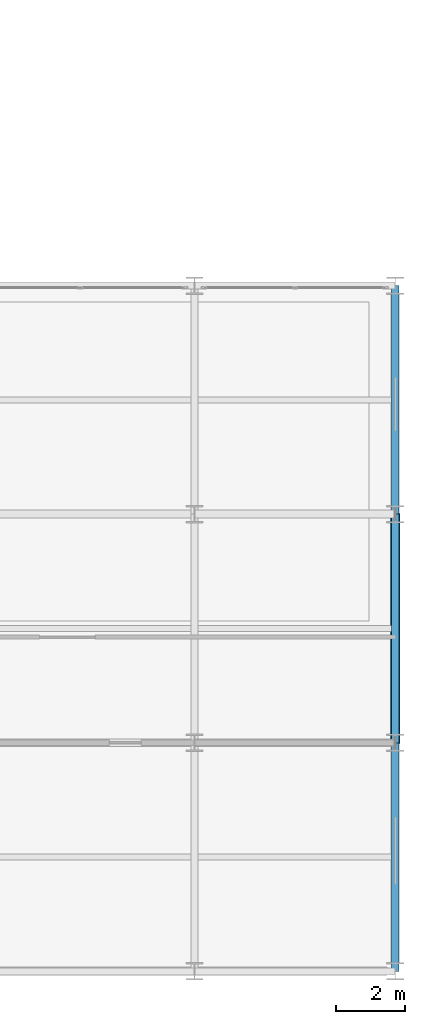
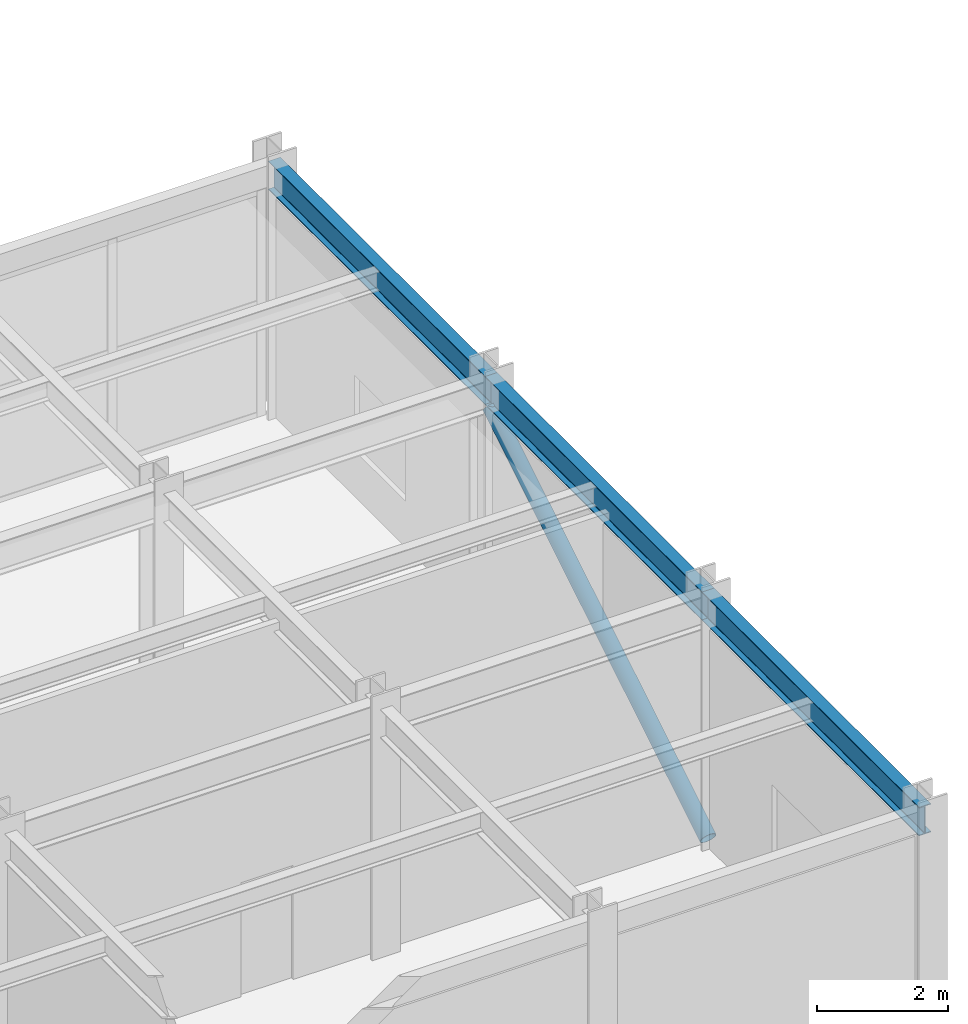
# One storey, part 97 of 144: 3 beams, 1 member.
"""IFC4 building model written with IfcOpenShell, lengths in metres."""

import ifcopenshell
import ifcopenshell.guid

model = None  # the IFC model being written
_history = None  # IfcOwnerHistory: only IFC2X3 demands one
_inside = {}  # id of a spatial element -> (the spatial element, [elements in it])
_under = {}  # id of a project, library or spatial element -> (it, [spatial elements below it])
_declared = {}  # id of a project -> (the project, [libraries it declares])
_typed = {}  # id of a type object -> (the type object, [elements of that type])
_made_of = {}  # id of a material, layer set ... -> (it, [elements and type objects made of it])


def new_model(schema):
    """Start an empty IFC model of exactly this schema.

    Asked for "IFC4X3", IfcOpenShell would pick the latest addendum, in which some entities
    have other attributes; the version numbers below select the first issue.
    IFC2X3 requires an IfcOwnerHistory on every rooted entity: one is made here for all.
    """
    global model, _history
    if schema == "IFC4X3":
        model = ifcopenshell.file(schema_version=(4, 3, 0, 0))
    else:
        model = ifcopenshell.file(schema=schema)
    _inside.clear()
    _under.clear()
    _declared.clear()
    _typed.clear()
    _made_of.clear()
    _history = None
    if model.schema == "IFC2X3":
        org = make("IfcOrganization", Name="unknown")
        user = make(
            "IfcPersonAndOrganization",
            ThePerson=make("IfcPerson", FamilyName="unknown"),
            TheOrganization=org,
        )
        app = make(
            "IfcApplication",
            ApplicationDeveloper=org,
            Version="unknown",
            ApplicationFullName="unknown",
            ApplicationIdentifier="unknown",
        )
        _history = make(
            "IfcOwnerHistory",
            OwningUser=user,
            OwningApplication=app,
            ChangeAction="ADDED",
            CreationDate=0,
        )
    return model


def make(cls, **values):
    """One entity of the class cls with the attributes given. An attribute that is None is left unset."""
    return model.create_entity(
        cls, **{name: value for name, value in values.items() if value is not None}
    )


def rooted(cls, **values):
    """An entity with a GlobalId (a new one), such as an element, a storey or a relation."""
    return make(cls, GlobalId=ifcopenshell.guid.new(), OwnerHistory=_history, **values)


def si_unit(unit_type, name, prefix=None):
    """IfcSIUnit, for example si_unit("LENGTHUNIT", "METRE", prefix="MILLI")."""
    return make("IfcSIUnit", UnitType=unit_type, Prefix=prefix, Name=name)


def assignment(units):
    """IfcUnitAssignment: the units of a project."""
    return None if units is None else make("IfcUnitAssignment", Units=units)


def point(xyz):
    """IfcCartesianPoint."""
    return None if xyz is None else make("IfcCartesianPoint", Coordinates=xyz)


def direction(xyz):
    """IfcDirection."""
    return None if xyz is None else make("IfcDirection", DirectionRatios=xyz)


def frame(location, z_axis=None, x_axis=None):
    """IfcAxis2Placement3D, a coordinate frame: its origin and axes. An axis left out is left unset."""
    return make(
        "IfcAxis2Placement3D",
        Location=point(location),
        Axis=direction(z_axis),
        RefDirection=direction(x_axis),
    )


def frame_2d(location, x_axis=None):
    """IfcAxis2Placement2D, a coordinate frame in the plane: its origin and x axis."""
    return make(
        "IfcAxis2Placement2D", Location=point(location), RefDirection=direction(x_axis)
    )


def origin():
    """The frame at (0, 0, 0) with its axes left unset."""
    return frame((0.0, 0.0, 0.0))


def origin_2d():
    """The frame at (0, 0) in the plane with its x axis left unset."""
    return frame_2d((0.0, 0.0))


def place(relative_to, where):
    """IfcLocalPlacement: puts the frame where relative to a parent placement (None: the world)."""
    return make(
        "IfcLocalPlacement", PlacementRelTo=relative_to, RelativePlacement=where
    )


def context(
    kind, dimensions, precision=None, world=None, true_north=None, identifier=None
):
    """IfcGeometricRepresentationContext, for example the 3D "Model" context."""
    return make(
        "IfcGeometricRepresentationContext",
        ContextIdentifier=identifier,
        ContextType=kind,
        CoordinateSpaceDimension=dimensions,
        Precision=precision,
        WorldCoordinateSystem=world,
        TrueNorth=true_north,
    )


def subcontext(parent, identifier, kind, view, scale=None):
    """IfcGeometricRepresentationSubContext, for example "Body" below "Model"."""
    return make(
        "IfcGeometricRepresentationSubContext",
        ContextIdentifier=identifier,
        ContextType=kind,
        ParentContext=parent,
        TargetScale=scale,
        TargetView=view,
    )


def project(units=None, contexts=None):
    """IfcProject with its units and contexts."""
    return rooted(
        "IfcProject",
        Name="project",
        RepresentationContexts=contexts,
        UnitsInContext=assignment(units),
    )


def spatial(cls, under=None, at=None, **own):
    """A site, building, storey or space (cls), placed at a placement, below another one or the project."""
    s = rooted(cls, ObjectPlacement=at, **own)
    if under is not None:
        _under.setdefault(under.id(), (under, []))[1].append(s)
    return s


def profile(cls, at=None, kind="AREA", **sizes):
    """A parametric profile (cls). Its sizes go by their IFC names, for example OverallWidth=200.0."""
    return make(cls, ProfileType=kind, Position=at, **sizes)


def hollow_circle(**sizes):
    """IfcCircleHollowProfileDef."""
    return profile("IfcCircleHollowProfileDef", **sizes)


def i_section(**sizes):
    """IfcIShapeProfileDef."""
    return profile("IfcIShapeProfileDef", **sizes)


def extrude(swept, where, along, depth):
    """IfcExtrudedAreaSolid: the profile swept, set in the frame where, extruded along a direction by depth."""
    return make(
        "IfcExtrudedAreaSolid",
        SweptArea=swept,
        Position=where,
        ExtrudedDirection=direction(along),
        Depth=depth,
    )


def shape(context_of_items, identifier, shape_type, items):
    """IfcShapeRepresentation: the items that make up one representation, for example the "Body"."""
    return make(
        "IfcShapeRepresentation",
        ContextOfItems=context_of_items,
        RepresentationIdentifier=identifier,
        RepresentationType=shape_type,
        Items=items,
    )


def material(Name=None, Category=None):
    """IfcMaterial."""
    return make("IfcMaterial", Name=Name, Category=Category)


def material_profile(
    of_material, cross_section, Name=None, Category=None, Priority=None
):
    """IfcMaterialProfile: a cross section and its material."""
    return make(
        "IfcMaterialProfile",
        Name=Name,
        Material=of_material,
        Profile=cross_section,
        Priority=Priority,
        Category=Category,
    )


def profile_set(profiles, Name=None, composite=None):
    """IfcMaterialProfileSet."""
    return make(
        "IfcMaterialProfileSet",
        Name=Name,
        MaterialProfiles=profiles,
        CompositeProfile=composite,
    )


def made_of(thing, what):
    """Note that an element or type object is made of a material, layer set ...; save() writes the relation."""
    if what is not None:
        _made_of.setdefault(what.id(), (what, []))[1].append(thing)
    return thing


def type_object(cls, material=None, **own):
    """A type object (cls), such as IfcWallType, which elements share."""
    return made_of(rooted(cls, **own), material)


def element(
    cls,
    number,
    at=None,
    inside=None,
    cuts=None,
    type_object=None,
    material=None,
    context=None,
    identifier="Body",
    shape_type=None,
    held_by="IfcProductDefinitionShape",
    body=None,
    shapes=None,
    **own,
):
    """One element of the class cls, such as IfcWall. Its Tag is "e" and its number.

    at: its placement. inside: the storey or other place that contains it. cuts: it is an
    opening in that element (IfcRelVoidsElement). A single representation is given by context,
    identifier, shape_type and body (its items); several are given by shapes. held_by: the class
    of the entity that holds the representations. save() writes the other relations.
    """
    e = rooted(cls, Tag="e%d" % number, ObjectPlacement=at, **own)
    if body is not None:
        shapes = [shape(context, identifier, shape_type, body)]
    if shapes is not None:
        e.Representation = make(held_by, Representations=shapes)
    if inside is not None:
        _inside.setdefault(inside.id(), (inside, []))[1].append(e)
    if cuts is not None:
        rooted(
            "IfcRelVoidsElement", RelatingBuildingElement=cuts, RelatedOpeningElement=e
        )
    if type_object is not None:
        _typed.setdefault(type_object.id(), (type_object, []))[1].append(e)
    return made_of(e, material)


def aggregate(whole, parts):
    """IfcRelAggregates: a whole, such as a stair, and the parts it consists of."""
    return rooted("IfcRelAggregates", RelatingObject=whole, RelatedObjects=parts)


def save(model, path):
    """Write the relations noted so far, then the file.

    IfcRelAggregates (storeys below a building ...), IfcRelContainedInSpatialStructure (elements
    in a storey), IfcRelDefinesByType, IfcRelAssociatesMaterial and IfcRelDeclares: one each for
    every whole, place, type object, material and project.
    """
    for whole, parts in _under.values():
        aggregate(whole, parts)
    for where, things in _inside.values():
        rooted(
            "IfcRelContainedInSpatialStructure",
            RelatedElements=things,
            RelatingStructure=where,
        )
    for kind, things in _typed.values():
        rooted("IfcRelDefinesByType", RelatedObjects=things, RelatingType=kind)
    for what, things in _made_of.values():
        rooted("IfcRelAssociatesMaterial", RelatedObjects=things, RelatingMaterial=what)
    for by, libraries in _declared.values():
        rooted("IfcRelDeclares", RelatingContext=by, RelatedDefinitions=libraries)
    model.write(path)


model = new_model("IFC4")

# Units and contexts
model_context = context("Model", 3, precision=1e-05, world=origin(), true_north=direction((0.0, 1.0)))
body_context = subcontext(model_context, "Body", "Model", "MODEL_VIEW")
ifc_project = project(units=[si_unit("LENGTHUNIT", "METRE"), si_unit("AREAUNIT", "SQUARE_METRE"), si_unit("VOLUMEUNIT", "CUBIC_METRE"), si_unit("PLANEANGLEUNIT", "RADIAN"), si_unit("MASSUNIT", "GRAM", prefix="KILO")], contexts=[model_context])

# Site, building, storey
site_placement = place(None, origin())
site = spatial("IfcSite", under=ifc_project, at=site_placement, CompositionType="ELEMENT")
building_placement = place(site_placement, origin())
building = spatial("IfcBuilding", under=site, at=building_placement, Name="Karori Crest Natural Sciences Institute", CompositionType="ELEMENT")
storey_placement = place(building_placement, origin())
storey = spatial("IfcBuildingStorey", under=building, at=storey_placement, Name="L00", CompositionType="ELEMENT", Elevation=0.0)

# Beams
ifc_material_1 = material(Name="Structural steel AS/NZS 3679.1 Grade 350", Category="steel")
ifc_material_profile_1 = material_profile(ifc_material_1, i_section(OverallWidth=0.208984375, OverallDepth=0.532958984375, WebThickness=0.01025390625, FlangeThickness=0.015625, FilletRadius=0.013916015625, at=origin_2d()), Name="530UB92.4")
ifc_profile_set_1 = profile_set([ifc_material_profile_1], Name="Structural steel AS/NZS 3679.1 Grade 350")
beam_type = type_object("IfcBeamType", Name="BT-05-EL", PredefinedType="BEAM", material=ifc_profile_set_1)
beam_placement = place(storey_placement, frame((162.199951171875, 0.800048828125, 4.353515625), z_axis=(0.0, 1.0, 0.0), x_axis=(-1.0, 0.0, 0.0)))
element("IfcBeam", 1, at=beam_placement, inside=storey, type_object=beam_type, Name="Beam B-2082", PredefinedType="BEAM", context=body_context, shape_type="SweptSolid", body=[
    extrude(i_section(OverallWidth=0.208984375, OverallDepth=0.532958984375, WebThickness=0.01025390625, FlangeThickness=0.015625, FilletRadius=0.013916015625, at=origin_2d()), origin(), (0.0, 0.0, 1.0), 6.599853515625),
])
for number, where, z_axis, x_axis, name in (
    (2, (162.199951171875, 7.39990234375, 4.353515625), (0.0, 1.0, 0.0), (-1.0, 0.0, 0.0), "Beam B-2083"),
    (3, (162.199951171875, 14.0, 4.353515625), (0.0, 1.0, 0.0), (-1.0, 0.0, 0.0), "Beam B-2084"),
):
    element("IfcBeam", number, at=place(storey_placement, frame(where, z_axis=z_axis, x_axis=x_axis)), inside=storey, type_object=beam_type, Name=name, PredefinedType="BEAM", context=body_context, shape_type="SweptSolid", body=[
        extrude(i_section(OverallWidth=0.208984375, OverallDepth=0.532958984375, WebThickness=0.01025390625, FlangeThickness=0.015625, FilletRadius=0.013916015625, at=origin_2d()), origin(), (0.0, 0.0, 1.0), 6.60009765625),
    ])

# Member
ifc_material_2 = material(Name="Hollow structural steel AS/NZS 1163 Grade C350", Category="steel")
ifc_material_profile_2 = material_profile(ifc_material_2, hollow_circle(Radius=0.136474609375, WallThickness=0.00927734375, at=origin_2d()), Name="CHS273.0x9.3")
ifc_profile_set_2 = profile_set([ifc_material_profile_2], Name="Hollow structural steel AS/NZS 1163 Grade C350")
member_type = type_object("IfcMemberType", Name="MT-01-EL", PredefinedType="BRACE", material=ifc_profile_set_2)
member_placement = place(storey_placement, frame((162.199951171875, 7.39990234375, 0.010009765625), z_axis=(0.0, 0.854738420814, 0.519058986998), x_axis=(-1.0, 0.0, 0.0)))
element("IfcMember", 4, at=member_placement, inside=storey, type_object=member_type, Name="Diagonal Brace M-0440", PredefinedType="BRACE", context=body_context, shape_type="SweptSolid", body=[
    extrude(hollow_circle(Radius=0.136474609375, WallThickness=0.00927734375, at=origin_2d()), origin(), (0.0, 0.0, 1.0), 7.7216796875),
])

save(model, "model.ifc")
